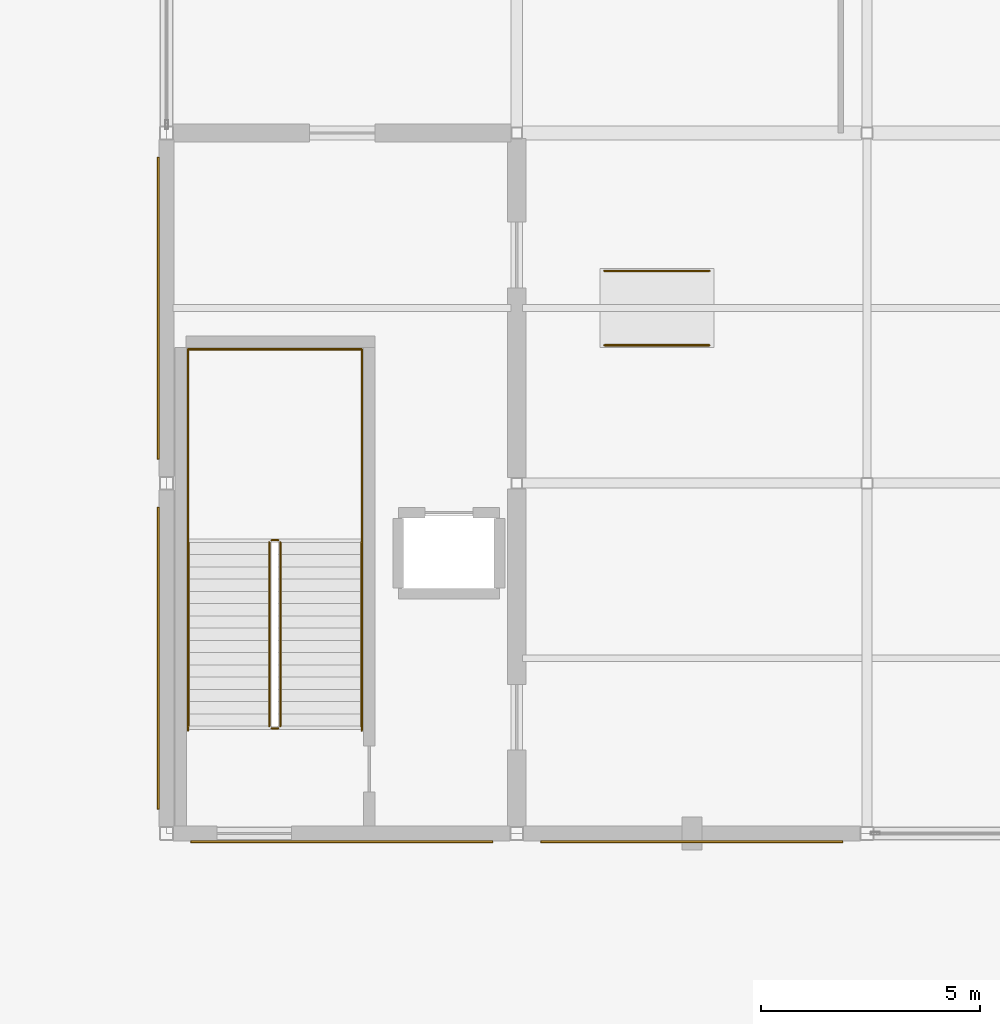
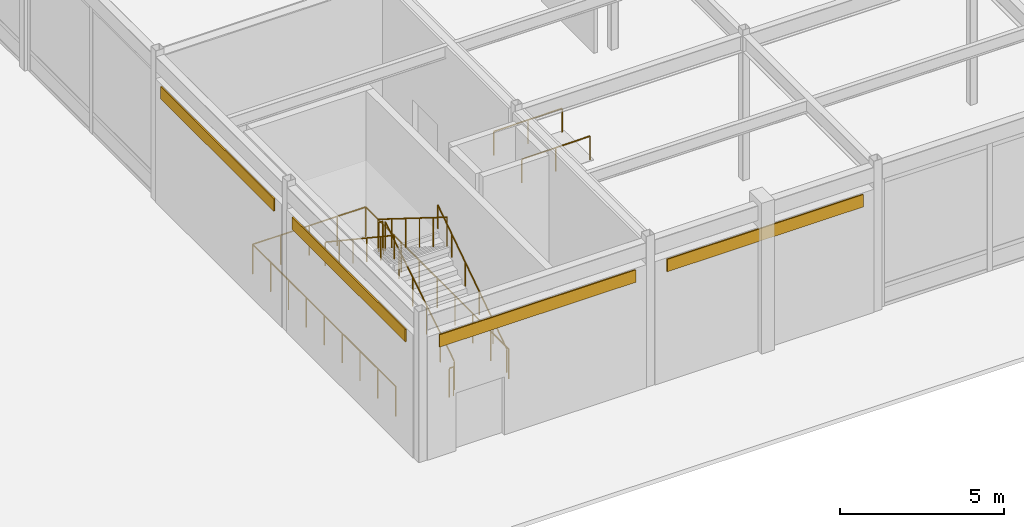
# One storey, part 117 of 128: 11 railings, 4 coverings.
"""IFC4 building model written with IfcOpenShell, lengths in metres."""

from ifc_helpers import new_model, si_unit, direction, frame, origin, origin_2d, place, context, subcontext, project, spatial, rectangle, circle, extrude, material, layer, layer_set, type_object, element, save


model = new_model("IFC4")

# Units and contexts
model_context = context("Model", 3, precision=1e-05, world=origin(), true_north=direction((0.0, 1.0)))
body_context = subcontext(model_context, "Body", "Model", "MODEL_VIEW")
ifc_project = project(units=[si_unit("LENGTHUNIT", "METRE"), si_unit("AREAUNIT", "SQUARE_METRE"), si_unit("VOLUMEUNIT", "CUBIC_METRE"), si_unit("PLANEANGLEUNIT", "RADIAN"), si_unit("MASSUNIT", "GRAM", prefix="KILO")], contexts=[model_context])

# Site, building, storey
site_placement = place(None, origin())
site = spatial("IfcSite", under=ifc_project, at=site_placement, CompositionType="ELEMENT")
building_placement = place(site_placement, origin())
building = spatial("IfcBuilding", under=site, at=building_placement, Name="Solmirada Galleria", CompositionType="ELEMENT")
storey_placement = place(building_placement, origin())
storey = spatial("IfcBuildingStorey", under=building, at=storey_placement, Name="L00", CompositionType="ELEMENT", Elevation=0.0)

# Coverings
ifc_material_1 = material(Name="Limestone cladding panels", Category="masonry")
ifc_layer = layer(ifc_material_1, 0.044921875)
ifc_layer_set = layer_set([ifc_layer], Name="Limestone cladding panels")
covering_type = type_object("IfcCoveringType", Name="COV-CLAD-LIME", PredefinedType="CLADDING", material=ifc_layer_set)
for number, where, z_axis, x_axis, name in (
    (1, (52.0, -0.1923828125, 4.090087890625), (0.0, 0.0, 1.0), (-1.0, 0.0, 0.0), "Postmodern facade cladding L00-045"),
    (2, (44.0, -0.1923828125, 4.090087890625), (0.0, 0.0, 1.0), (-1.0, 0.0, 0.0), "Postmodern facade cladding L00-046"),
    (3, (39.8076171875, 4.0, 4.090087890625), (0.0, 0.0, 1.0), (0.0, 1.0, 0.0), "Postmodern facade cladding L00-047"),
    (4, (39.8076171875, 12.0, 4.090087890625), (0.0, 0.0, 1.0), (0.0, 1.0, 0.0), "Postmodern facade cladding L00-048"),
):
    element("IfcCovering", number, at=place(storey_placement, frame(where, z_axis=z_axis, x_axis=x_axis)), inside=storey, type_object=covering_type, Name=name, PredefinedType="CLADDING", context=body_context, shape_type="SweptSolid", body=[
        extrude(rectangle(XDim=6.89501953125, YDim=0.044921875, at=origin_2d()), origin(), (0.0, 0.0, 1.0), 0.4599609375),
    ])

# Railings
ifc_material_2 = material(Name="Painted steel tubular railing", Category="steel")
railing_type_1 = type_object("IfcRailingType", Name="RAIL-STAIR-GUARD", PredefinedType="GUARDRAIL", material=ifc_material_2)
railing_1_placement = place(storey_placement, frame((42.60009765625, 2.449951171875, 0.175048828125)))
element("IfcRailing", 5, at=railing_1_placement, inside=storey, type_object=railing_type_1, Name="L00 ST5 stair guard 1", PredefinedType="GUARDRAIL", context=body_context, shape_type="SweptSolid", body=[
    extrude(circle(Radius=0.02392578125, at=origin_2d()), frame((0.0, 0.0, 1.076171875), z_axis=(0.0, 0.847995534698, 0.530003370869), x_axis=(-1.0, 0.0, 0.0)), (0.0, 0.0, 1.0), 4.952880859375),
    extrude(circle(Radius=0.02099609375, at=origin_2d()), origin(), (0.0, 0.0, 1.0), 1.048095703125),
    extrude(circle(Radius=0.02099609375, at=origin_2d()), frame((0.0, 0.840087890625, 0.52490234375)), (0.0, 0.0, 1.0), 1.048095703125),
    extrude(circle(Radius=0.02099609375, at=origin_2d()), frame((0.0, 1.679931640625, 1.050048828125)), (0.0, 0.0, 1.0), 1.048095703125),
    extrude(circle(Radius=0.02099609375, at=origin_2d()), frame((0.0, 2.52001953125, 1.574951171875)), (0.0, 0.0, 1.0), 1.048095703125),
    extrude(circle(Radius=0.02099609375, at=origin_2d()), frame((0.0, 3.35986328125, 2.10009765625)), (0.0, 0.0, 1.0), 1.048095703125),
    extrude(circle(Radius=0.02099609375, at=origin_2d()), frame((0.0, 4.199951171875, 2.625)), (0.0, 0.0, 1.0), 1.048095703125),
])
railing_2_placement = place(storey_placement, frame((42.550048828125, 6.699951171875, 2.800048828125)))
element("IfcRailing", 6, at=railing_2_placement, inside=storey, type_object=railing_type_1, Name="L00 ST5 stair guard 2", PredefinedType="GUARDRAIL", context=body_context, shape_type="SweptSolid", body=[
    extrude(circle(Radius=0.02392578125, at=origin_2d()), frame((0.0, 0.0, 1.076171875), z_axis=(-1.0, 0.0, 0.0), x_axis=(0.0, -1.0, 0.0)), (0.0, 0.0, 1.0), 0.150146484375),
    extrude(circle(Radius=0.02099609375, at=origin_2d()), origin(), (0.0, 0.0, 1.0), 1.048095703125),
    extrude(circle(Radius=0.02099609375, at=origin_2d()), frame((-0.150146484375, 0.0, 0.0)), (0.0, 0.0, 1.0), 1.048095703125),
])
railing_3_placement = place(storey_placement, frame((42.35009765625, 6.64990234375, 2.97509765625)))
element("IfcRailing", 7, at=railing_3_placement, inside=storey, type_object=railing_type_1, Name="L00 ST5 stair guard 3", PredefinedType="GUARDRAIL", context=body_context, shape_type="SweptSolid", body=[
    extrude(circle(Radius=0.02392578125, at=origin_2d()), frame((0.0, 0.0, 1.076171875), z_axis=(0.0, -0.847995534698, 0.530003370869), x_axis=(1.0, 0.0, 0.0)), (0.0, 0.0, 1.0), 4.952880859375),
    extrude(circle(Radius=0.02099609375, at=origin_2d()), origin(), (0.0, 0.0, 1.0), 1.048095703125),
    extrude(circle(Radius=0.02099609375, at=origin_2d()), frame((0.0, -0.840087890625, 0.52490234375)), (0.0, 0.0, 1.0), 1.048095703125),
    extrude(circle(Radius=0.02099609375, at=origin_2d()), frame((0.0, -1.679931640625, 1.050048828125)), (0.0, 0.0, 1.0), 1.048095703125),
    extrude(circle(Radius=0.02099609375, at=origin_2d()), frame((0.0, -2.52001953125, 1.574951171875)), (0.0, 0.0, 1.0), 1.048095703125),
    extrude(circle(Radius=0.02099609375, at=origin_2d()), frame((0.0, -3.35986328125, 2.10009765625)), (0.0, 0.0, 1.0), 1.048095703125),
    extrude(circle(Radius=0.02099609375, at=origin_2d()), frame((0.0, -4.199951171875, 2.625)), (0.0, 0.0, 1.0), 1.048095703125),
])
railing_4_placement = place(storey_placement, frame((42.550048828125, 2.39990234375, 0.0)))
element("IfcRailing", 8, at=railing_4_placement, inside=storey, type_object=railing_type_1, Name="L00 ST5 stair guard 4", PredefinedType="GUARDRAIL", context=body_context, shape_type="SweptSolid", body=[
    extrude(circle(Radius=0.02392578125, at=origin_2d()), frame((0.0, 0.0, 1.076171875), z_axis=(-1.0, 0.0, 0.0), x_axis=(0.0, -1.0, 0.0)), (0.0, 0.0, 1.0), 0.150146484375),
    extrude(circle(Radius=0.02099609375, at=origin_2d()), origin(), (0.0, 0.0, 1.0), 1.048095703125),
    extrude(circle(Radius=0.02099609375, at=origin_2d()), frame((-0.150146484375, 0.0, 0.0)), (0.0, 0.0, 1.0), 1.048095703125),
])
railing_5_placement = place(storey_placement, frame((40.489990234375, 2.35009765625, 0.0)))
element("IfcRailing", 9, at=railing_5_placement, inside=storey, type_object=railing_type_1, Name="Stair ST5 well edge guard L00-1", PredefinedType="GUARDRAIL", context=body_context, shape_type="SweptSolid", body=[
    extrude(circle(Radius=0.02392578125, at=origin_2d()), frame((0.0, 0.0, 1.09619140625), z_axis=(0.0, 1.0, 0.0), x_axis=(-1.0, 0.0, 0.0)), (0.0, 0.0, 1.0), 8.7099609375),
    extrude(circle(Radius=0.02099609375, at=origin_2d()), origin(), (0.0, 0.0, 1.0), 1.068115234375),
    extrude(circle(Radius=0.02099609375, at=origin_2d()), frame((0.0, 1.0888671875, 0.0)), (0.0, 0.0, 1.0), 1.068115234375),
    extrude(circle(Radius=0.02099609375, at=origin_2d()), frame((0.0, 2.177490234375, 0.0)), (0.0, 0.0, 1.0), 1.068115234375),
    extrude(circle(Radius=0.02099609375, at=origin_2d()), frame((0.0, 3.26611328125, 0.0)), (0.0, 0.0, 1.0), 1.068115234375),
    extrude(circle(Radius=0.02099609375, at=origin_2d()), frame((0.0, 4.35498046875, 0.0)), (0.0, 0.0, 1.0), 1.068115234375),
    extrude(circle(Radius=0.02099609375, at=origin_2d()), frame((0.0, 5.44384765625, 0.0)), (0.0, 0.0, 1.0), 1.068115234375),
    extrude(circle(Radius=0.02099609375, at=origin_2d()), frame((0.0, 6.532470703125, 0.0)), (0.0, 0.0, 1.0), 1.068115234375),
    extrude(circle(Radius=0.02099609375, at=origin_2d()), frame((0.0, 7.62109375, 0.0)), (0.0, 0.0, 1.0), 1.068115234375),
    extrude(circle(Radius=0.02099609375, at=origin_2d()), frame((0.0, 8.7099609375, 0.0)), (0.0, 0.0, 1.0), 1.068115234375),
])
railing_6_placement = place(storey_placement, frame((40.489990234375, 11.06005859375, 0.0)))
element("IfcRailing", 10, at=railing_6_placement, inside=storey, type_object=railing_type_1, Name="Stair ST5 well edge guard L00-2", PredefinedType="GUARDRAIL", context=body_context, shape_type="SweptSolid", body=[
    extrude(circle(Radius=0.02392578125, at=origin_2d()), frame((0.0, 0.0, 1.09619140625), z_axis=(1.0, 0.0, 0.0), x_axis=(0.0, 1.0, 0.0)), (0.0, 0.0, 1.0), 3.969970703125),
    extrude(circle(Radius=0.02099609375, at=origin_2d()), origin(), (0.0, 0.0, 1.0), 1.068115234375),
    extrude(circle(Radius=0.02099609375, at=origin_2d()), frame((0.992431640625, 0.0, 0.0)), (0.0, 0.0, 1.0), 1.068115234375),
    extrude(circle(Radius=0.02099609375, at=origin_2d()), frame((1.98486328125, 0.0, 0.0)), (0.0, 0.0, 1.0), 1.068115234375),
    extrude(circle(Radius=0.02099609375, at=origin_2d()), frame((2.9775390625, 0.0, 0.0)), (0.0, 0.0, 1.0), 1.068115234375),
    extrude(circle(Radius=0.02099609375, at=origin_2d()), frame((3.969970703125, 0.0, 0.0)), (0.0, 0.0, 1.0), 1.068115234375),
])
railing_7_placement = place(storey_placement, frame((44.4599609375, 11.06005859375, 0.0)))
element("IfcRailing", 11, at=railing_7_placement, inside=storey, type_object=railing_type_1, Name="Stair ST5 well edge guard L00-3", PredefinedType="GUARDRAIL", context=body_context, shape_type="SweptSolid", body=[
    extrude(circle(Radius=0.02392578125, at=origin_2d()), frame((0.0, 0.0, 1.09619140625), z_axis=(0.0, -1.0, 0.0), x_axis=(1.0, 0.0, 0.0)), (0.0, 0.0, 1.0), 8.7099609375),
    extrude(circle(Radius=0.02099609375, at=origin_2d()), origin(), (0.0, 0.0, 1.0), 1.068115234375),
    extrude(circle(Radius=0.02099609375, at=origin_2d()), frame((0.0, -1.0888671875, 0.0)), (0.0, 0.0, 1.0), 1.068115234375),
    extrude(circle(Radius=0.02099609375, at=origin_2d()), frame((0.0, -2.177490234375, 0.0)), (0.0, 0.0, 1.0), 1.068115234375),
    extrude(circle(Radius=0.02099609375, at=origin_2d()), frame((0.0, -3.26611328125, 0.0)), (0.0, 0.0, 1.0), 1.068115234375),
    extrude(circle(Radius=0.02099609375, at=origin_2d()), frame((0.0, -4.35498046875, 0.0)), (0.0, 0.0, 1.0), 1.068115234375),
    extrude(circle(Radius=0.02099609375, at=origin_2d()), frame((0.0, -5.44384765625, 0.0)), (0.0, 0.0, 1.0), 1.068115234375),
    extrude(circle(Radius=0.02099609375, at=origin_2d()), frame((0.0, -6.532470703125, 0.0)), (0.0, 0.0, 1.0), 1.068115234375),
    extrude(circle(Radius=0.02099609375, at=origin_2d()), frame((0.0, -7.62109375, 0.0)), (0.0, 0.0, 1.0), 1.068115234375),
    extrude(circle(Radius=0.02099609375, at=origin_2d()), frame((0.0, -8.7099609375, 0.0)), (0.0, 0.0, 1.0), 1.068115234375),
])
railing_type_2 = type_object("IfcRailingType", Name="RAIL-STAIR-HAND", PredefinedType="HANDRAIL", material=ifc_material_2)
railing_8_placement = place(storey_placement, frame((44.449951171875, 2.449951171875, 0.175048828125)))
element("IfcRailing", 12, at=railing_8_placement, inside=storey, type_object=railing_type_2, Name="L00 ST5 stair handrail 1", PredefinedType="HANDRAIL", context=body_context, shape_type="SweptSolid", body=[
    extrude(circle(Radius=0.02392578125, at=origin_2d()), frame((0.0, 0.0, 0.8759765625), z_axis=(0.0, 0.832042853317, 0.554711357594), x_axis=(-1.0, 0.0, 0.0)), (0.0, 0.0, 1.0), 5.0478515625),
    extrude(circle(Radius=0.02099609375, at=origin_2d()), origin(), (0.0, 0.0, 1.0), 0.847900390625),
    extrude(circle(Radius=0.02099609375, at=origin_2d()), frame((0.0, 0.840087890625, 0.56005859375)), (0.0, 0.0, 1.0), 0.847900390625),
    extrude(circle(Radius=0.02099609375, at=origin_2d()), frame((0.0, 1.679931640625, 1.1201171875)), (0.0, 0.0, 1.0), 0.847900390625),
    extrude(circle(Radius=0.02099609375, at=origin_2d()), frame((0.0, 2.52001953125, 1.679931640625)), (0.0, 0.0, 1.0), 0.847900390625),
    extrude(circle(Radius=0.02099609375, at=origin_2d()), frame((0.0, 3.35986328125, 2.239990234375)), (0.0, 0.0, 1.0), 0.847900390625),
    extrude(circle(Radius=0.02099609375, at=origin_2d()), frame((0.0, 4.199951171875, 2.800048828125)), (0.0, 0.0, 1.0), 0.847900390625),
])
railing_9_placement = place(storey_placement, frame((40.5, 6.64990234375, 2.97509765625)))
element("IfcRailing", 13, at=railing_9_placement, inside=storey, type_object=railing_type_2, Name="L00 ST5 stair handrail 2", PredefinedType="HANDRAIL", context=body_context, shape_type="SweptSolid", body=[
    extrude(circle(Radius=0.02392578125, at=origin_2d()), frame((0.0, 0.0, 0.8759765625), z_axis=(0.0, -0.83206517633, 0.554677872589), x_axis=(1.0, 0.0, 0.0)), (0.0, 0.0, 1.0), 5.047607421875),
    extrude(circle(Radius=0.02099609375, at=origin_2d()), origin(), (0.0, 0.0, 1.0), 0.847900390625),
    extrude(circle(Radius=0.02099609375, at=origin_2d()), frame((0.0, -0.840087890625, 0.56005859375)), (0.0, 0.0, 1.0), 0.847900390625),
    extrude(circle(Radius=0.02099609375, at=origin_2d()), frame((0.0, -1.679931640625, 1.119873046875)), (0.0, 0.0, 1.0), 0.847900390625),
    extrude(circle(Radius=0.02099609375, at=origin_2d()), frame((0.0, -2.52001953125, 1.679931640625)), (0.0, 0.0, 1.0), 0.847900390625),
    extrude(circle(Radius=0.02099609375, at=origin_2d()), frame((0.0, -3.35986328125, 2.23974609375)), (0.0, 0.0, 1.0), 0.847900390625),
    extrude(circle(Radius=0.02099609375, at=origin_2d()), frame((0.0, -4.199951171875, 2.7998046875)), (0.0, 0.0, 1.0), 0.847900390625),
])
for number, where, name in (
    (14, (50.0, 11.14990234375, 0.0), "Accessible ramp handrail AR-SW1-1"),
    (15, (50.0, 12.85009765625, 0.0), "Accessible ramp handrail AR-SW1-2"),
):
    element("IfcRailing", number, at=place(storey_placement, frame(where)), inside=storey, type_object=railing_type_2, Name=name, PredefinedType="HANDRAIL", context=body_context, shape_type="SweptSolid", body=[
        extrude(circle(Radius=0.02392578125, at=origin_2d()), frame((0.0, 0.0, 0.8759765625), z_axis=(0.999965208912, 0.0, 0.008341520563), x_axis=(0.0, 1.0, 0.0)), (0.0, 0.0, 1.0), 2.39990234375),
        extrude(circle(Radius=0.02099609375, at=origin_2d()), origin(), (0.0, 0.0, 1.0), 0.847900390625),
        extrude(circle(Radius=0.02099609375, at=origin_2d()), frame((1.199951171875, 0.0, 0.010009765625)), (0.0, 0.0, 1.0), 0.847900390625),
        extrude(circle(Radius=0.02099609375, at=origin_2d()), frame((2.39990234375, 0.0, 0.02001953125)), (0.0, 0.0, 1.0), 0.847900390625),
    ])

save(model, "model.ifc")
